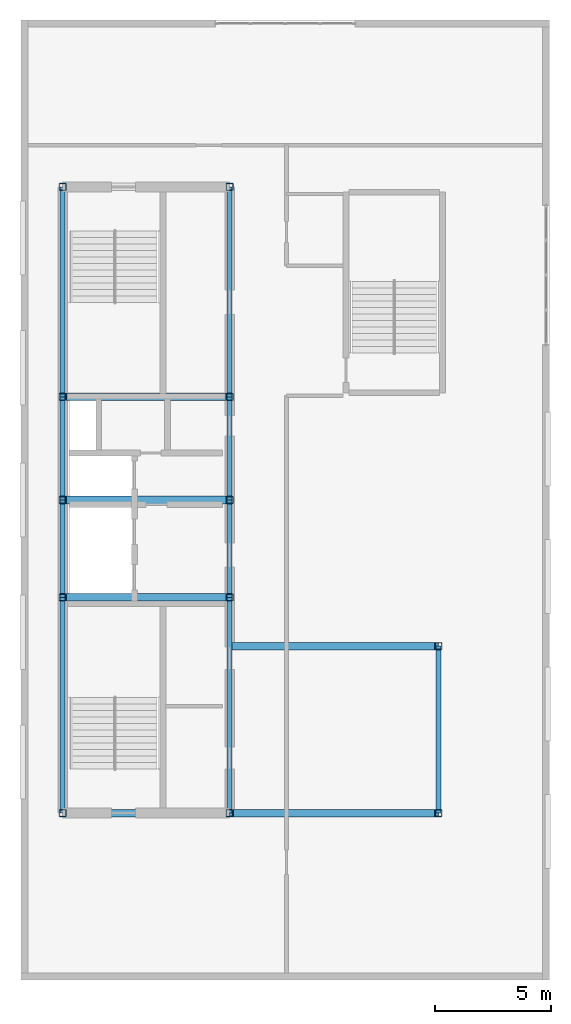
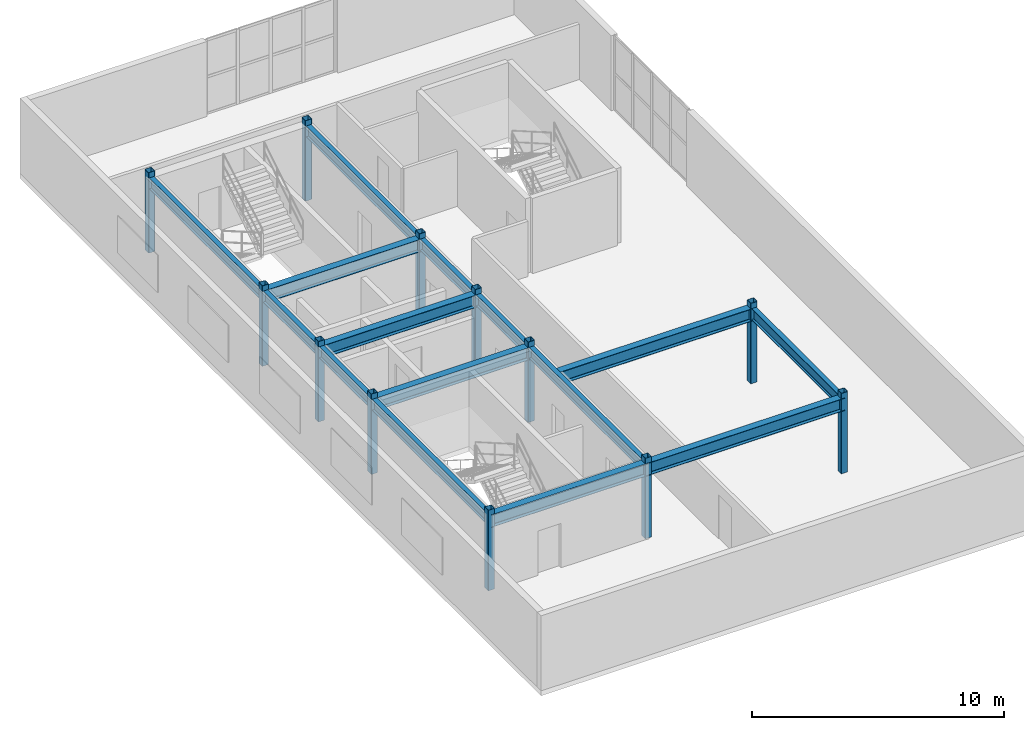
# One storey, part 1 of 7: 15 beams, 12 columns.
"""IFC4 building model written with IfcOpenShell, lengths in metres."""

from ifc_helpers import new_model, entity, si_unit, converted_unit, direction, frame, origin_with_axes, origin_2d_with_axis, place, context, subcontext, project, spatial, hollow_rectangle, i_section, extrude, material, material_profile, profile_set, type_object, element, save


model = new_model("IFC4")

# Units and contexts
model_context = context("Model", 3, precision=1e-05, world=origin_with_axes(), true_north=direction((0.0, 1.0)))
body_context = subcontext(model_context, "Body", "Model", "MODEL_VIEW")
ifc_project = project(units=[si_unit("LENGTHUNIT", "METRE"), si_unit("AREAUNIT", "SQUARE_METRE"), si_unit("VOLUMEUNIT", "CUBIC_METRE"), converted_unit("PLANEANGLEUNIT", "DEGREE", entity("IfcPlaneAngleMeasure", 0.017453292519943295), si_unit("PLANEANGLEUNIT", "RADIAN"), dimensions=[0, 0, 0, 0, 0, 0, 0]), si_unit("MASSUNIT", "GRAM", prefix="KILO"), si_unit("THERMODYNAMICTEMPERATUREUNIT", "KELVIN")], contexts=[model_context])

# Site, building, storey
site_placement = place(None, origin_with_axes())
site = spatial("IfcSite", under=ifc_project, at=site_placement, CompositionType="ELEMENT")
building_placement = place(site_placement, origin_with_axes())
building = spatial("IfcBuilding", under=site, at=building_placement, Name="Varnlund Millrace Tower", CompositionType="ELEMENT")
storey_placement = place(building_placement, frame((0.0, 0.0, 316.5), z_axis=(0.0, 0.0, 1.0), x_axis=(1.0, 0.0, 0.0)))
storey = spatial("IfcBuildingStorey", under=building, at=storey_placement, Name="L78", CompositionType="ELEMENT", Elevation=316.5)

# Columns
ifc_material_1 = material(Name="Steel ASTM A500 Grade C", Category="steel")
ifc_material_profile_1 = material_profile(ifc_material_1, hollow_rectangle(XDim=0.305, YDim=0.305, WallThickness=0.0147, InnerFilletRadius=0.015, OuterFilletRadius=0.03, at=origin_2d_with_axis()), Name="Steel ASTM A500 Grade C")
ifc_profile_set_1 = profile_set([ifc_material_profile_1], Name="Steel ASTM A500 Grade C")
column_type = type_object("IfcColumnType", Name="Type-Col-Crn-HSS12", PredefinedType="COLUMN", material=ifc_profile_set_1)
for number, where, z_axis, x_axis, name in (
    (1, (11.4, 10.8, 0.0), (0.0, 0.0, 1.0), (1.0, 0.0, 0.0), "Type-Col-Crn-HSS12"),
    (2, (11.4, 20.1, 0.0), (0.0, 0.0, 1.0), (1.0, 0.0, 0.0), "Type-Col-Crn-HSS12"),
    (3, (11.4, 24.3, 0.0), (0.0, 0.0, 1.0), (1.0, 0.0, 0.0), "Type-Col-Crn-HSS12"),
    (4, (11.4, 28.75, 0.0), (0.0, 0.0, 1.0), (1.0, 0.0, 0.0), "Type-Col-Crn-HSS12"),
    (5, (11.4, 37.8, 0.0), (0.0, 0.0, 1.0), (1.0, 0.0, 0.0), "Type-Col-Crn-HSS12"),
    (6, (18.6, 10.8, 0.0), (0.0, 0.0, 1.0), (1.0, 0.0, 0.0), "Type-Col-Crn-HSS12"),
    (7, (18.6, 20.1, 0.0), (0.0, 0.0, 1.0), (1.0, 0.0, 0.0), "Type-Col-Crn-HSS12"),
    (8, (18.6, 24.3, 0.0), (0.0, 0.0, 1.0), (1.0, 0.0, 0.0), "Type-Col-Crn-HSS12"),
    (9, (18.6, 28.75, 0.0), (0.0, 0.0, 1.0), (1.0, 0.0, 0.0), "Type-Col-Crn-HSS12"),
    (10, (18.6, 37.8, 0.0), (0.0, 0.0, 1.0), (1.0, 0.0, 0.0), "Type-Col-Crn-HSS12"),
    (11, (27.6, 10.8, 0.0), (0.0, 0.0, 1.0), (1.0, 0.0, 0.0), "Type-Col-Crn-HSS12"),
    (12, (27.6, 18.0, 0.0), (0.0, 0.0, 1.0), (1.0, 0.0, 0.0), "Type-Col-Crn-HSS12"),
):
    element("IfcColumn", number, at=place(storey_placement, frame(where, z_axis=z_axis, x_axis=x_axis)), inside=storey, type_object=column_type, Name=name, PredefinedType="COLUMN", context=body_context, shape_type="SweptSolid", body=[
        extrude(hollow_rectangle(XDim=0.305, YDim=0.305, WallThickness=0.0147, InnerFilletRadius=0.015, OuterFilletRadius=0.03, at=origin_2d_with_axis()), origin_with_axes(), (0.0, 0.0, 1.0), 3.9),
    ])

# Beams
ifc_material_2 = material(Name="Steel ASTM A992 Grade 50", Category="steel")
ifc_material_profile_2 = material_profile(ifc_material_2, i_section(OverallWidth=0.214, OverallDepth=0.549, WebThickness=0.0147, FlangeThickness=0.0236, FilletRadius=0.015, at=origin_2d_with_axis()), Name="Steel ASTM A992 Grade 50")
ifc_profile_set_2 = profile_set([ifc_material_profile_2], Name="Steel ASTM A992 Grade 50")
beam_type_1 = type_object("IfcBeamType", Name="Type-Beam-W21X93", PredefinedType="BEAM", material=ifc_profile_set_2)
beam_1_placement = place(storey_placement, frame((11.4, 10.8, 3.3655), z_axis=(0.0, 1.0, 0.0), x_axis=(-1.0, 0.0, 0.0)))
element("IfcBeam", 13, at=beam_1_placement, inside=storey, type_object=beam_type_1, Name="Type-Beam-W21X93", PredefinedType="BEAM", context=body_context, shape_type="SweptSolid", body=[
    extrude(i_section(OverallWidth=0.214, OverallDepth=0.549, WebThickness=0.0147, FlangeThickness=0.0236, FilletRadius=0.015, at=origin_2d_with_axis()), origin_with_axes(), (0.0, 0.0, 1.0), 9.3),
])
beam_2_placement = place(storey_placement, frame((11.4, 20.1, 3.3655), z_axis=(0.0, 1.0, 0.0), x_axis=(-1.0, 0.0, 0.0)))
element("IfcBeam", 14, at=beam_2_placement, inside=storey, type_object=beam_type_1, Name="Type-Beam-W21X93", PredefinedType="BEAM", context=body_context, shape_type="SweptSolid", body=[
    extrude(i_section(OverallWidth=0.214, OverallDepth=0.549, WebThickness=0.0147, FlangeThickness=0.0236, FilletRadius=0.015, at=origin_2d_with_axis()), origin_with_axes(), (0.0, 0.0, 1.0), 4.2),
])
beam_3_placement = place(storey_placement, frame((11.4, 24.3, 3.3655), z_axis=(0.0, 1.0, 0.0), x_axis=(-1.0, 0.0, 0.0)))
element("IfcBeam", 15, at=beam_3_placement, inside=storey, type_object=beam_type_1, Name="Type-Beam-W21X93", PredefinedType="BEAM", context=body_context, shape_type="SweptSolid", body=[
    extrude(i_section(OverallWidth=0.214, OverallDepth=0.549, WebThickness=0.0147, FlangeThickness=0.0236, FilletRadius=0.015, at=origin_2d_with_axis()), origin_with_axes(), (0.0, 0.0, 1.0), 4.45),
])
beam_4_placement = place(storey_placement, frame((11.4, 28.75, 3.3655), z_axis=(0.0, 1.0, 0.0), x_axis=(-1.0, 0.0, 0.0)))
element("IfcBeam", 16, at=beam_4_placement, inside=storey, type_object=beam_type_1, Name="Type-Beam-W21X93", PredefinedType="BEAM", context=body_context, shape_type="SweptSolid", body=[
    extrude(i_section(OverallWidth=0.214, OverallDepth=0.549, WebThickness=0.0147, FlangeThickness=0.0236, FilletRadius=0.015, at=origin_2d_with_axis()), origin_with_axes(), (0.0, 0.0, 1.0), 9.05),
])
beam_5_placement = place(storey_placement, frame((18.6, 10.8, 3.3655), z_axis=(0.0, 1.0, 0.0), x_axis=(-1.0, 0.0, 0.0)))
element("IfcBeam", 17, at=beam_5_placement, inside=storey, type_object=beam_type_1, Name="Type-Beam-W21X93", PredefinedType="BEAM", context=body_context, shape_type="SweptSolid", body=[
    extrude(i_section(OverallWidth=0.214, OverallDepth=0.549, WebThickness=0.0147, FlangeThickness=0.0236, FilletRadius=0.015, at=origin_2d_with_axis()), origin_with_axes(), (0.0, 0.0, 1.0), 9.3),
])
beam_6_placement = place(storey_placement, frame((18.6, 20.1, 3.3655), z_axis=(0.0, 1.0, 0.0), x_axis=(-1.0, 0.0, 0.0)))
element("IfcBeam", 18, at=beam_6_placement, inside=storey, type_object=beam_type_1, Name="Type-Beam-W21X93", PredefinedType="BEAM", context=body_context, shape_type="SweptSolid", body=[
    extrude(i_section(OverallWidth=0.214, OverallDepth=0.549, WebThickness=0.0147, FlangeThickness=0.0236, FilletRadius=0.015, at=origin_2d_with_axis()), origin_with_axes(), (0.0, 0.0, 1.0), 4.2),
])
beam_7_placement = place(storey_placement, frame((18.6, 24.3, 3.3655), z_axis=(0.0, 1.0, 0.0), x_axis=(-1.0, 0.0, 0.0)))
element("IfcBeam", 19, at=beam_7_placement, inside=storey, type_object=beam_type_1, Name="Type-Beam-W21X93", PredefinedType="BEAM", context=body_context, shape_type="SweptSolid", body=[
    extrude(i_section(OverallWidth=0.214, OverallDepth=0.549, WebThickness=0.0147, FlangeThickness=0.0236, FilletRadius=0.015, at=origin_2d_with_axis()), origin_with_axes(), (0.0, 0.0, 1.0), 4.45),
])
beam_8_placement = place(storey_placement, frame((18.6, 28.75, 3.3655), z_axis=(0.0, 1.0, 0.0), x_axis=(-1.0, 0.0, 0.0)))
element("IfcBeam", 20, at=beam_8_placement, inside=storey, type_object=beam_type_1, Name="Type-Beam-W21X93", PredefinedType="BEAM", context=body_context, shape_type="SweptSolid", body=[
    extrude(i_section(OverallWidth=0.214, OverallDepth=0.549, WebThickness=0.0147, FlangeThickness=0.0236, FilletRadius=0.015, at=origin_2d_with_axis()), origin_with_axes(), (0.0, 0.0, 1.0), 9.05),
])
beam_9_placement = place(storey_placement, frame((27.6, 10.8, 3.3655), z_axis=(0.0, 1.0, 0.0), x_axis=(-1.0, 0.0, 0.0)))
element("IfcBeam", 21, at=beam_9_placement, inside=storey, type_object=beam_type_1, Name="Type-Beam-W21X93", PredefinedType="BEAM", context=body_context, shape_type="SweptSolid", body=[
    extrude(i_section(OverallWidth=0.214, OverallDepth=0.549, WebThickness=0.0147, FlangeThickness=0.0236, FilletRadius=0.015, at=origin_2d_with_axis()), origin_with_axes(), (0.0, 0.0, 1.0), 7.2),
])
ifc_material_profile_3 = material_profile(ifc_material_2, i_section(OverallWidth=0.324, OverallDepth=0.611, WebThickness=0.0127, FlangeThickness=0.0191, FilletRadius=0.016, at=origin_2d_with_axis()), Name="Steel ASTM A992 Grade 50")
ifc_profile_set_3 = profile_set([ifc_material_profile_3], Name="Steel ASTM A992 Grade 50")
beam_type_2 = type_object("IfcBeamType", Name="Type-Girder-W24X104", PredefinedType="USERDEFINED", material=ifc_profile_set_3)
beam_10_placement = place(storey_placement, frame((11.4, 10.8, 3.3345), z_axis=(1.0, 0.0, 0.0), x_axis=(0.0, 1.0, 0.0)))
element("IfcBeam", 22, at=beam_10_placement, inside=storey, type_object=beam_type_2, Name="Type-Girder-W24X104", ObjectType="GIRDER", PredefinedType="USERDEFINED", context=body_context, shape_type="SweptSolid", body=[
    extrude(i_section(OverallWidth=0.324, OverallDepth=0.611, WebThickness=0.0127, FlangeThickness=0.0191, FilletRadius=0.016, at=origin_2d_with_axis()), origin_with_axes(), (0.0, 0.0, 1.0), 7.2),
])
for number, where, z_axis, x_axis, name in (
    (23, (18.6, 10.8, 3.3345), (1.0, 0.0, 0.0), (0.0, 1.0, 0.0), "Type-Girder-W24X104"),
    (24, (18.6, 18.0, 3.3345), (1.0, 0.0, 0.0), (0.0, 1.0, 0.0), "Type-Girder-W24X104"),
):
    element("IfcBeam", number, at=place(storey_placement, frame(where, z_axis=z_axis, x_axis=x_axis)), inside=storey, type_object=beam_type_2, Name=name, ObjectType="GIRDER", PredefinedType="USERDEFINED", context=body_context, shape_type="SweptSolid", body=[
        extrude(i_section(OverallWidth=0.324, OverallDepth=0.611, WebThickness=0.0127, FlangeThickness=0.0191, FilletRadius=0.016, at=origin_2d_with_axis()), origin_with_axes(), (0.0, 0.0, 1.0), 9.0),
    ])
for number, where, z_axis, x_axis, name in (
    (25, (11.4, 20.1, 3.3345), (1.0, 0.0, 0.0), (0.0, 1.0, 0.0), "Type-Girder-W24X104"),
    (26, (11.4, 24.3, 3.3345), (1.0, 0.0, 0.0), (0.0, 1.0, 0.0), "Type-Girder-W24X104"),
    (27, (11.4, 28.75, 3.3345), (1.0, 0.0, 0.0), (0.0, 1.0, 0.0), "Type-Girder-W24X104"),
):
    element("IfcBeam", number, at=place(storey_placement, frame(where, z_axis=z_axis, x_axis=x_axis)), inside=storey, type_object=beam_type_2, Name=name, ObjectType="GIRDER", PredefinedType="USERDEFINED", context=body_context, shape_type="SweptSolid", body=[
        extrude(i_section(OverallWidth=0.324, OverallDepth=0.611, WebThickness=0.0127, FlangeThickness=0.0191, FilletRadius=0.016, at=origin_2d_with_axis()), origin_with_axes(), (0.0, 0.0, 1.0), 7.2),
    ])

save(model, "model.ifc")
